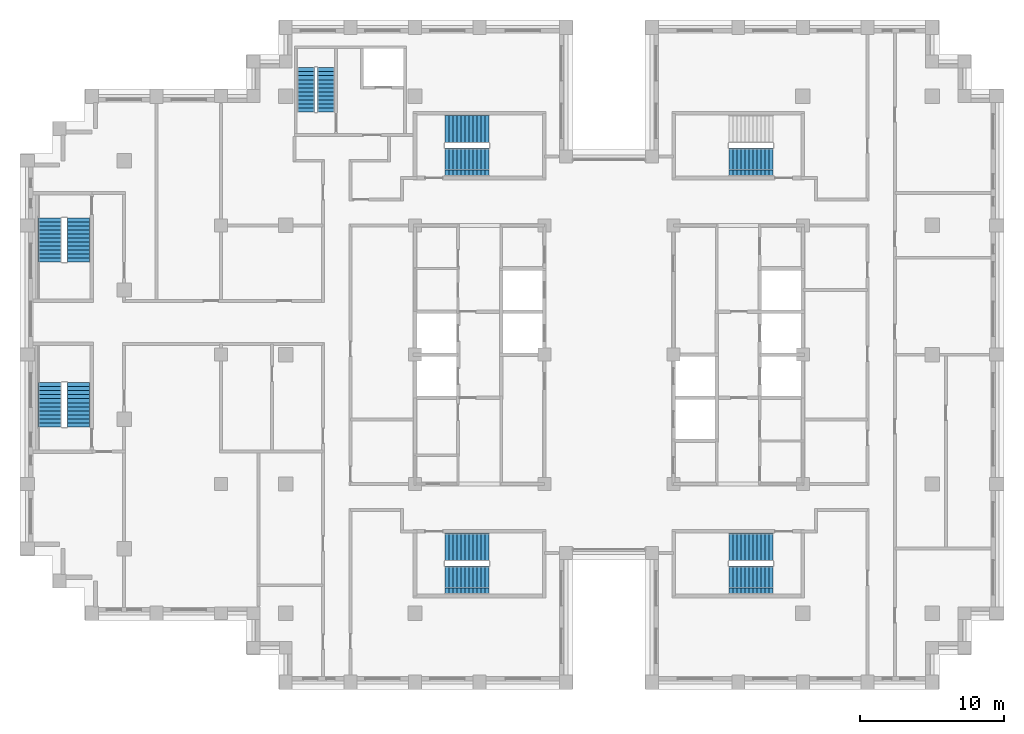
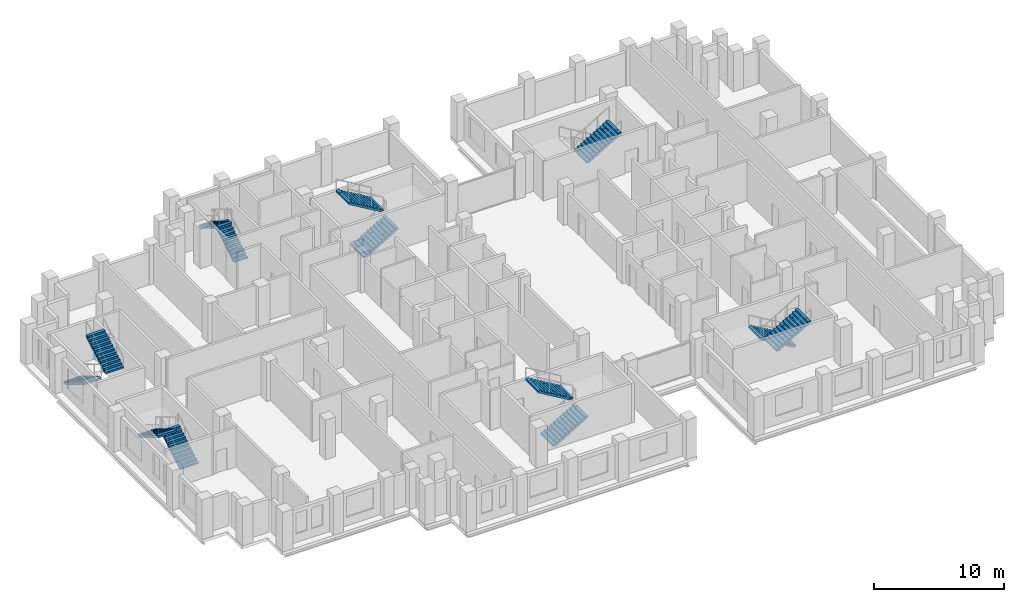
# One storey, part 12 of 15: 13 stair flights, 7 elements without a shape of their own.
"""IFC4 building model written with IfcOpenShell, lengths in metres."""

from ifc_helpers import new_model, si_unit, direction, frame, origin, place, context, subcontext, project, spatial, polyline, outline, extrude, material, type_object, element, aggregate, save


model = new_model("IFC4")

# Units and contexts
model_context = context("Model", 3, precision=1e-05, world=origin(), true_north=direction((0.0, 1.0)))
body_context = subcontext(model_context, "Body", "Model", "MODEL_VIEW")
ifc_project = project(units=[si_unit("LENGTHUNIT", "METRE"), si_unit("AREAUNIT", "SQUARE_METRE"), si_unit("VOLUMEUNIT", "CUBIC_METRE"), si_unit("PLANEANGLEUNIT", "RADIAN"), si_unit("MASSUNIT", "GRAM", prefix="KILO")], contexts=[model_context])

# Site, building, storey
site_placement = place(None, origin())
site = spatial("IfcSite", under=ifc_project, at=site_placement, CompositionType="ELEMENT")
building_placement = place(site_placement, origin())
building = spatial("IfcBuilding", under=site, at=building_placement, Name="Corbelhall Arena Tower", CompositionType="ELEMENT")
storey_placement = place(building_placement, frame((0.0, 0.0, 192.0)))
storey = spatial("IfcBuildingStorey", under=building, at=storey_placement, Name="L39", CompositionType="ELEMENT", Elevation=192.0)

# Stair, stair flights
ifc_material = material(Name="Concrete C40/50", Category="concrete")
stair_type = type_object("IfcStairType", Name="IN-ST-TOWER", PredefinedType="HALF_TURN_STAIR", material=ifc_material)
stair_1_placement = place(storey_placement, origin())
stair_1 = element("IfcStair", 1, at=stair_1_placement, inside=storey, type_object=stair_type, Name="L39 Exit stair ST1", PredefinedType="HALF_TURN_STAIR")
stair_flight_type = type_object("IfcStairFlightType", Name="IN-SFL-RC", PredefinedType="STRAIGHT", material=ifc_material)
stair_flight_1_placement = place(storey_placement, frame((-11.425048828125, 13.39990234375, 0.0), z_axis=(0.0, 0.0, 1.0), x_axis=(1.0, 0.0, 0.0)))
stair_flight_1 = element("IfcStairFlight", 2, at=stair_flight_1_placement, type_object=stair_flight_type, Name="ST1 flight 1", NumberOfRisers=12, NumberOfTreads=11, PredefinedType="STRAIGHT", RiserHeight=0.166666667, TreadLength=0.28, context=body_context, shape_type="SweptSolid", body=[
    extrude(outline(polyline([(0.0, 0.0), (0.0, 0.166748046875), (0.280029296875, 0.166748046875), (0.280029296875, 0.333251953125), (0.56005859375, 0.333251953125), (0.56005859375, 0.5), (0.840087890625, 0.5), (0.840087890625, 0.666748046875), (1.1201171875, 0.666748046875), (1.1201171875, 0.833251953125), (1.39990234375, 0.833251953125), (1.39990234375, 1.0), (1.679931640625, 1.0), (1.679931640625, 1.166748046875), (1.9599609375, 1.166748046875), (1.9599609375, 1.333251953125), (2.239990234375, 1.333251953125), (2.239990234375, 1.5), (2.52001953125, 1.5), (2.52001953125, 1.666748046875), (2.800048828125, 1.666748046875), (2.800048828125, 1.833251953125), (3.080078125, 1.833251953125), (3.080078125, 2.0), (3.080078125, 1.658935546875), (0.29296875, 0.0), (0.0, 0.0)])), frame((0.0, 0.97509765625, 0.0), z_axis=(0.0, -1.0, 0.0), x_axis=(1.0, 0.0, 0.0)), (0.0, 0.0, 1.0), 0.449951171875),
    extrude(outline(polyline([(0.0, 0.0), (0.0, 0.166748046875), (0.280029296875, 0.166748046875), (0.280029296875, 0.333251953125), (0.56005859375, 0.333251953125), (0.56005859375, 0.5), (0.840087890625, 0.5), (0.840087890625, 0.666748046875), (1.1201171875, 0.666748046875), (1.1201171875, 0.833251953125), (1.39990234375, 0.833251953125), (1.39990234375, 1.0), (1.679931640625, 1.0), (1.679931640625, 1.166748046875), (1.9599609375, 1.166748046875), (1.9599609375, 1.333251953125), (2.239990234375, 1.333251953125), (2.239990234375, 1.5), (2.52001953125, 1.5), (2.52001953125, 1.666748046875), (2.800048828125, 1.666748046875), (2.800048828125, 1.833251953125), (3.080078125, 1.833251953125), (3.080078125, 2.0), (3.080078125, 1.658935546875), (0.29296875, 0.0), (0.0, 0.0)])), frame((0.0, 0.52099609375, 0.0), z_axis=(0.0, -1.0, 0.0), x_axis=(1.0, 0.0, 0.0)), (0.0, 0.0, 1.0), 1.0419921875),
    extrude(outline(polyline([(0.0, 0.0), (0.0, 0.166748046875), (0.280029296875, 0.166748046875), (0.280029296875, 0.333251953125), (0.56005859375, 0.333251953125), (0.56005859375, 0.5), (0.840087890625, 0.5), (0.840087890625, 0.666748046875), (1.1201171875, 0.666748046875), (1.1201171875, 0.833251953125), (1.39990234375, 0.833251953125), (1.39990234375, 1.0), (1.679931640625, 1.0), (1.679931640625, 1.166748046875), (1.9599609375, 1.166748046875), (1.9599609375, 1.333251953125), (2.239990234375, 1.333251953125), (2.239990234375, 1.5), (2.52001953125, 1.5), (2.52001953125, 1.666748046875), (2.800048828125, 1.666748046875), (2.800048828125, 1.833251953125), (3.080078125, 1.833251953125), (3.080078125, 2.0), (3.080078125, 1.658935546875), (0.29296875, 0.0), (0.0, 0.0)])), frame((0.0, -0.52490234375, 0.0), z_axis=(0.0, -1.0, 0.0), x_axis=(1.0, 0.0, 0.0)), (0.0, 0.0, 1.0), 0.449951171875),
])
stair_flight_2_placement = place(storey_placement, frame((-8.344970703125, 15.699951171875, 2.0), z_axis=(0.0, 0.0, 1.0), x_axis=(-1.0, 0.0, 0.0)))
stair_flight_2 = element("IfcStairFlight", 3, at=stair_flight_2_placement, type_object=stair_flight_type, Name="ST1 flight 2", NumberOfRisers=12, NumberOfTreads=11, PredefinedType="STRAIGHT", RiserHeight=0.166666667, TreadLength=0.28, context=body_context, shape_type="SweptSolid", body=[
    extrude(outline(polyline([(0.0, 0.0), (0.0, 0.166748046875), (0.280029296875, 0.166748046875), (0.280029296875, 0.333251953125), (0.56005859375, 0.333251953125), (0.56005859375, 0.5), (0.840087890625, 0.5), (0.840087890625, 0.666748046875), (1.1201171875, 0.666748046875), (1.1201171875, 0.833251953125), (1.39990234375, 0.833251953125), (1.39990234375, 1.0), (1.679931640625, 1.0), (1.679931640625, 1.166748046875), (1.9599609375, 1.166748046875), (1.9599609375, 1.333251953125), (2.239990234375, 1.333251953125), (2.239990234375, 1.5), (2.52001953125, 1.5), (2.52001953125, 1.666748046875), (2.800048828125, 1.666748046875), (2.800048828125, 1.833251953125), (3.080078125, 1.833251953125), (3.080078125, 2.0), (3.080078125, 1.658935546875), (0.29296875, 0.0), (0.0, 0.0)])), frame((0.0, 0.97509765625, 0.0), z_axis=(0.0, -1.0, 0.0), x_axis=(1.0, 0.0, 0.0)), (0.0, 0.0, 1.0), 0.449951171875),
    extrude(outline(polyline([(0.0, 0.0), (0.0, 0.166748046875), (0.280029296875, 0.166748046875), (0.280029296875, 0.333251953125), (0.56005859375, 0.333251953125), (0.56005859375, 0.5), (0.840087890625, 0.5), (0.840087890625, 0.666748046875), (1.1201171875, 0.666748046875), (1.1201171875, 0.833251953125), (1.39990234375, 0.833251953125), (1.39990234375, 1.0), (1.679931640625, 1.0), (1.679931640625, 1.166748046875), (1.9599609375, 1.166748046875), (1.9599609375, 1.333251953125), (2.239990234375, 1.333251953125), (2.239990234375, 1.5), (2.52001953125, 1.5), (2.52001953125, 1.666748046875), (2.800048828125, 1.666748046875), (2.800048828125, 1.833251953125), (3.080078125, 1.833251953125), (3.080078125, 2.0), (3.080078125, 1.658935546875), (0.29296875, 0.0), (0.0, 0.0)])), frame((0.0, 0.52099609375, 0.0), z_axis=(0.0, -1.0, 0.0), x_axis=(1.0, 0.0, 0.0)), (0.0, 0.0, 1.0), 1.0419921875),
    extrude(outline(polyline([(0.0, 0.0), (0.0, 0.166748046875), (0.280029296875, 0.166748046875), (0.280029296875, 0.333251953125), (0.56005859375, 0.333251953125), (0.56005859375, 0.5), (0.840087890625, 0.5), (0.840087890625, 0.666748046875), (1.1201171875, 0.666748046875), (1.1201171875, 0.833251953125), (1.39990234375, 0.833251953125), (1.39990234375, 1.0), (1.679931640625, 1.0), (1.679931640625, 1.166748046875), (1.9599609375, 1.166748046875), (1.9599609375, 1.333251953125), (2.239990234375, 1.333251953125), (2.239990234375, 1.5), (2.52001953125, 1.5), (2.52001953125, 1.666748046875), (2.800048828125, 1.666748046875), (2.800048828125, 1.833251953125), (3.080078125, 1.833251953125), (3.080078125, 2.0), (3.080078125, 1.658935546875), (0.29296875, 0.0), (0.0, 0.0)])), frame((0.0, -0.52490234375, 0.0), z_axis=(0.0, -1.0, 0.0), x_axis=(1.0, 0.0, 0.0)), (0.0, 0.0, 1.0), 0.449951171875),
])
aggregate(stair_1, [stair_flight_1, stair_flight_2])

stair_2_placement = place(storey_placement, origin())
stair_2 = element("IfcStair", 4, at=stair_2_placement, inside=storey, type_object=stair_type, Name="L39 Exit stair ST2", PredefinedType="HALF_TURN_STAIR")
stair_flight_3_placement = place(storey_placement, frame((-11.425048828125, -15.699951171875, 0.0), z_axis=(0.0, 0.0, 1.0), x_axis=(1.0, 0.0, 0.0)))
stair_flight_3 = element("IfcStairFlight", 5, at=stair_flight_3_placement, type_object=stair_flight_type, Name="ST2 flight 1", NumberOfRisers=12, NumberOfTreads=11, PredefinedType="STRAIGHT", RiserHeight=0.166666667, TreadLength=0.28, context=body_context, shape_type="SweptSolid", body=[
    extrude(outline(polyline([(0.0, 0.0), (0.0, 0.166748046875), (0.280029296875, 0.166748046875), (0.280029296875, 0.333251953125), (0.56005859375, 0.333251953125), (0.56005859375, 0.5), (0.840087890625, 0.5), (0.840087890625, 0.666748046875), (1.1201171875, 0.666748046875), (1.1201171875, 0.833251953125), (1.39990234375, 0.833251953125), (1.39990234375, 1.0), (1.679931640625, 1.0), (1.679931640625, 1.166748046875), (1.9599609375, 1.166748046875), (1.9599609375, 1.333251953125), (2.239990234375, 1.333251953125), (2.239990234375, 1.5), (2.52001953125, 1.5), (2.52001953125, 1.666748046875), (2.800048828125, 1.666748046875), (2.800048828125, 1.833251953125), (3.080078125, 1.833251953125), (3.080078125, 2.0), (3.080078125, 1.658935546875), (0.29296875, 0.0), (0.0, 0.0)])), frame((0.0, 0.97509765625, 0.0), z_axis=(0.0, -1.0, 0.0), x_axis=(1.0, 0.0, 0.0)), (0.0, 0.0, 1.0), 0.449951171875),
    extrude(outline(polyline([(0.0, 0.0), (0.0, 0.166748046875), (0.280029296875, 0.166748046875), (0.280029296875, 0.333251953125), (0.56005859375, 0.333251953125), (0.56005859375, 0.5), (0.840087890625, 0.5), (0.840087890625, 0.666748046875), (1.1201171875, 0.666748046875), (1.1201171875, 0.833251953125), (1.39990234375, 0.833251953125), (1.39990234375, 1.0), (1.679931640625, 1.0), (1.679931640625, 1.166748046875), (1.9599609375, 1.166748046875), (1.9599609375, 1.333251953125), (2.239990234375, 1.333251953125), (2.239990234375, 1.5), (2.52001953125, 1.5), (2.52001953125, 1.666748046875), (2.800048828125, 1.666748046875), (2.800048828125, 1.833251953125), (3.080078125, 1.833251953125), (3.080078125, 2.0), (3.080078125, 1.658935546875), (0.29296875, 0.0), (0.0, 0.0)])), frame((0.0, 0.52099609375, 0.0), z_axis=(0.0, -1.0, 0.0), x_axis=(1.0, 0.0, 0.0)), (0.0, 0.0, 1.0), 1.0419921875),
    extrude(outline(polyline([(0.0, 0.0), (0.0, 0.166748046875), (0.280029296875, 0.166748046875), (0.280029296875, 0.333251953125), (0.56005859375, 0.333251953125), (0.56005859375, 0.5), (0.840087890625, 0.5), (0.840087890625, 0.666748046875), (1.1201171875, 0.666748046875), (1.1201171875, 0.833251953125), (1.39990234375, 0.833251953125), (1.39990234375, 1.0), (1.679931640625, 1.0), (1.679931640625, 1.166748046875), (1.9599609375, 1.166748046875), (1.9599609375, 1.333251953125), (2.239990234375, 1.333251953125), (2.239990234375, 1.5), (2.52001953125, 1.5), (2.52001953125, 1.666748046875), (2.800048828125, 1.666748046875), (2.800048828125, 1.833251953125), (3.080078125, 1.833251953125), (3.080078125, 2.0), (3.080078125, 1.658935546875), (0.29296875, 0.0), (0.0, 0.0)])), frame((0.0, -0.52490234375, 0.0), z_axis=(0.0, -1.0, 0.0), x_axis=(1.0, 0.0, 0.0)), (0.0, 0.0, 1.0), 0.449951171875),
])
stair_flight_4_placement = place(storey_placement, frame((-8.344970703125, -13.39990234375, 2.0), z_axis=(0.0, 0.0, 1.0), x_axis=(-1.0, 0.0, 0.0)))
stair_flight_4 = element("IfcStairFlight", 6, at=stair_flight_4_placement, type_object=stair_flight_type, Name="ST2 flight 2", NumberOfRisers=12, NumberOfTreads=11, PredefinedType="STRAIGHT", RiserHeight=0.166666667, TreadLength=0.28, context=body_context, shape_type="SweptSolid", body=[
    extrude(outline(polyline([(0.0, 0.0), (0.0, 0.166748046875), (0.280029296875, 0.166748046875), (0.280029296875, 0.333251953125), (0.56005859375, 0.333251953125), (0.56005859375, 0.5), (0.840087890625, 0.5), (0.840087890625, 0.666748046875), (1.1201171875, 0.666748046875), (1.1201171875, 0.833251953125), (1.39990234375, 0.833251953125), (1.39990234375, 1.0), (1.679931640625, 1.0), (1.679931640625, 1.166748046875), (1.9599609375, 1.166748046875), (1.9599609375, 1.333251953125), (2.239990234375, 1.333251953125), (2.239990234375, 1.5), (2.52001953125, 1.5), (2.52001953125, 1.666748046875), (2.800048828125, 1.666748046875), (2.800048828125, 1.833251953125), (3.080078125, 1.833251953125), (3.080078125, 2.0), (3.080078125, 1.658935546875), (0.29296875, 0.0), (0.0, 0.0)])), frame((0.0, 0.97509765625, 0.0), z_axis=(0.0, -1.0, 0.0), x_axis=(1.0, 0.0, 0.0)), (0.0, 0.0, 1.0), 0.449951171875),
    extrude(outline(polyline([(0.0, 0.0), (0.0, 0.166748046875), (0.280029296875, 0.166748046875), (0.280029296875, 0.333251953125), (0.56005859375, 0.333251953125), (0.56005859375, 0.5), (0.840087890625, 0.5), (0.840087890625, 0.666748046875), (1.1201171875, 0.666748046875), (1.1201171875, 0.833251953125), (1.39990234375, 0.833251953125), (1.39990234375, 1.0), (1.679931640625, 1.0), (1.679931640625, 1.166748046875), (1.9599609375, 1.166748046875), (1.9599609375, 1.333251953125), (2.239990234375, 1.333251953125), (2.239990234375, 1.5), (2.52001953125, 1.5), (2.52001953125, 1.666748046875), (2.800048828125, 1.666748046875), (2.800048828125, 1.833251953125), (3.080078125, 1.833251953125), (3.080078125, 2.0), (3.080078125, 1.658935546875), (0.29296875, 0.0), (0.0, 0.0)])), frame((0.0, 0.52099609375, 0.0), z_axis=(0.0, -1.0, 0.0), x_axis=(1.0, 0.0, 0.0)), (0.0, 0.0, 1.0), 1.0419921875),
    extrude(outline(polyline([(0.0, 0.0), (0.0, 0.166748046875), (0.280029296875, 0.166748046875), (0.280029296875, 0.333251953125), (0.56005859375, 0.333251953125), (0.56005859375, 0.5), (0.840087890625, 0.5), (0.840087890625, 0.666748046875), (1.1201171875, 0.666748046875), (1.1201171875, 0.833251953125), (1.39990234375, 0.833251953125), (1.39990234375, 1.0), (1.679931640625, 1.0), (1.679931640625, 1.166748046875), (1.9599609375, 1.166748046875), (1.9599609375, 1.333251953125), (2.239990234375, 1.333251953125), (2.239990234375, 1.5), (2.52001953125, 1.5), (2.52001953125, 1.666748046875), (2.800048828125, 1.666748046875), (2.800048828125, 1.833251953125), (3.080078125, 1.833251953125), (3.080078125, 2.0), (3.080078125, 1.658935546875), (0.29296875, 0.0), (0.0, 0.0)])), frame((0.0, -0.52490234375, 0.0), z_axis=(0.0, -1.0, 0.0), x_axis=(1.0, 0.0, 0.0)), (0.0, 0.0, 1.0), 0.449951171875),
])
aggregate(stair_2, [stair_flight_3, stair_flight_4])

# Stair, stair flight
stair_3_placement = place(storey_placement, origin())
stair_3 = element("IfcStair", 7, at=stair_3_placement, inside=storey, type_object=stair_type, Name="L39 Exit stair ST3", PredefinedType="HALF_TURN_STAIR")
stair_flight_5_placement = place(storey_placement, frame((8.344970703125, 13.39990234375, 2.0), z_axis=(0.0, 0.0, 1.0), x_axis=(1.0, 0.0, 0.0)))
stair_flight_5 = element("IfcStairFlight", 8, at=stair_flight_5_placement, type_object=stair_flight_type, Name="ST3 flight 2", NumberOfRisers=12, NumberOfTreads=11, PredefinedType="STRAIGHT", RiserHeight=0.166666667, TreadLength=0.28, context=body_context, shape_type="SweptSolid", body=[
    extrude(outline(polyline([(0.0, 0.0), (0.0, 0.166748046875), (0.280029296875, 0.166748046875), (0.280029296875, 0.333251953125), (0.56005859375, 0.333251953125), (0.56005859375, 0.5), (0.840087890625, 0.5), (0.840087890625, 0.666748046875), (1.1201171875, 0.666748046875), (1.1201171875, 0.833251953125), (1.39990234375, 0.833251953125), (1.39990234375, 1.0), (1.679931640625, 1.0), (1.679931640625, 1.166748046875), (1.9599609375, 1.166748046875), (1.9599609375, 1.333251953125), (2.239990234375, 1.333251953125), (2.239990234375, 1.5), (2.52001953125, 1.5), (2.52001953125, 1.666748046875), (2.800048828125, 1.666748046875), (2.800048828125, 1.833251953125), (3.080078125, 1.833251953125), (3.080078125, 2.0), (3.080078125, 1.658935546875), (0.29296875, 0.0), (0.0, 0.0)])), frame((0.0, 0.97509765625, 0.0), z_axis=(0.0, -1.0, 0.0), x_axis=(1.0, 0.0, 0.0)), (0.0, 0.0, 1.0), 0.449951171875),
    extrude(outline(polyline([(0.0, 0.0), (0.0, 0.166748046875), (0.280029296875, 0.166748046875), (0.280029296875, 0.333251953125), (0.56005859375, 0.333251953125), (0.56005859375, 0.5), (0.840087890625, 0.5), (0.840087890625, 0.666748046875), (1.1201171875, 0.666748046875), (1.1201171875, 0.833251953125), (1.39990234375, 0.833251953125), (1.39990234375, 1.0), (1.679931640625, 1.0), (1.679931640625, 1.166748046875), (1.9599609375, 1.166748046875), (1.9599609375, 1.333251953125), (2.239990234375, 1.333251953125), (2.239990234375, 1.5), (2.52001953125, 1.5), (2.52001953125, 1.666748046875), (2.800048828125, 1.666748046875), (2.800048828125, 1.833251953125), (3.080078125, 1.833251953125), (3.080078125, 2.0), (3.080078125, 1.658935546875), (0.29296875, 0.0), (0.0, 0.0)])), frame((0.0, 0.52099609375, 0.0), z_axis=(0.0, -1.0, 0.0), x_axis=(1.0, 0.0, 0.0)), (0.0, 0.0, 1.0), 1.0419921875),
    extrude(outline(polyline([(0.0, 0.0), (0.0, 0.166748046875), (0.280029296875, 0.166748046875), (0.280029296875, 0.333251953125), (0.56005859375, 0.333251953125), (0.56005859375, 0.5), (0.840087890625, 0.5), (0.840087890625, 0.666748046875), (1.1201171875, 0.666748046875), (1.1201171875, 0.833251953125), (1.39990234375, 0.833251953125), (1.39990234375, 1.0), (1.679931640625, 1.0), (1.679931640625, 1.166748046875), (1.9599609375, 1.166748046875), (1.9599609375, 1.333251953125), (2.239990234375, 1.333251953125), (2.239990234375, 1.5), (2.52001953125, 1.5), (2.52001953125, 1.666748046875), (2.800048828125, 1.666748046875), (2.800048828125, 1.833251953125), (3.080078125, 1.833251953125), (3.080078125, 2.0), (3.080078125, 1.658935546875), (0.29296875, 0.0), (0.0, 0.0)])), frame((0.0, -0.52490234375, 0.0), z_axis=(0.0, -1.0, 0.0), x_axis=(1.0, 0.0, 0.0)), (0.0, 0.0, 1.0), 0.449951171875),
])
aggregate(stair_3, [stair_flight_5])

# Stair, stair flights
stair_4_placement = place(storey_placement, origin())
stair_4 = element("IfcStair", 9, at=stair_4_placement, inside=storey, type_object=stair_type, Name="L39 Exit stair ST4", PredefinedType="HALF_TURN_STAIR")
stair_flight_6_placement = place(storey_placement, frame((11.425048828125, -13.39990234375, 0.0), z_axis=(0.0, 0.0, 1.0), x_axis=(-1.0, 0.0, 0.0)))
stair_flight_6 = element("IfcStairFlight", 10, at=stair_flight_6_placement, type_object=stair_flight_type, Name="ST4 flight 1", NumberOfRisers=12, NumberOfTreads=11, PredefinedType="STRAIGHT", RiserHeight=0.166666667, TreadLength=0.28, context=body_context, shape_type="SweptSolid", body=[
    extrude(outline(polyline([(0.0, 0.0), (0.0, 0.166748046875), (0.280029296875, 0.166748046875), (0.280029296875, 0.333251953125), (0.56005859375, 0.333251953125), (0.56005859375, 0.5), (0.840087890625, 0.5), (0.840087890625, 0.666748046875), (1.1201171875, 0.666748046875), (1.1201171875, 0.833251953125), (1.39990234375, 0.833251953125), (1.39990234375, 1.0), (1.679931640625, 1.0), (1.679931640625, 1.166748046875), (1.9599609375, 1.166748046875), (1.9599609375, 1.333251953125), (2.239990234375, 1.333251953125), (2.239990234375, 1.5), (2.52001953125, 1.5), (2.52001953125, 1.666748046875), (2.800048828125, 1.666748046875), (2.800048828125, 1.833251953125), (3.080078125, 1.833251953125), (3.080078125, 2.0), (3.080078125, 1.658935546875), (0.29296875, 0.0), (0.0, 0.0)])), frame((0.0, 0.97509765625, 0.0), z_axis=(0.0, -1.0, 0.0), x_axis=(1.0, 0.0, 0.0)), (0.0, 0.0, 1.0), 0.449951171875),
    extrude(outline(polyline([(0.0, 0.0), (0.0, 0.166748046875), (0.280029296875, 0.166748046875), (0.280029296875, 0.333251953125), (0.56005859375, 0.333251953125), (0.56005859375, 0.5), (0.840087890625, 0.5), (0.840087890625, 0.666748046875), (1.1201171875, 0.666748046875), (1.1201171875, 0.833251953125), (1.39990234375, 0.833251953125), (1.39990234375, 1.0), (1.679931640625, 1.0), (1.679931640625, 1.166748046875), (1.9599609375, 1.166748046875), (1.9599609375, 1.333251953125), (2.239990234375, 1.333251953125), (2.239990234375, 1.5), (2.52001953125, 1.5), (2.52001953125, 1.666748046875), (2.800048828125, 1.666748046875), (2.800048828125, 1.833251953125), (3.080078125, 1.833251953125), (3.080078125, 2.0), (3.080078125, 1.658935546875), (0.29296875, 0.0), (0.0, 0.0)])), frame((0.0, 0.52099609375, 0.0), z_axis=(0.0, -1.0, 0.0), x_axis=(1.0, 0.0, 0.0)), (0.0, 0.0, 1.0), 1.0419921875),
    extrude(outline(polyline([(0.0, 0.0), (0.0, 0.166748046875), (0.280029296875, 0.166748046875), (0.280029296875, 0.333251953125), (0.56005859375, 0.333251953125), (0.56005859375, 0.5), (0.840087890625, 0.5), (0.840087890625, 0.666748046875), (1.1201171875, 0.666748046875), (1.1201171875, 0.833251953125), (1.39990234375, 0.833251953125), (1.39990234375, 1.0), (1.679931640625, 1.0), (1.679931640625, 1.166748046875), (1.9599609375, 1.166748046875), (1.9599609375, 1.333251953125), (2.239990234375, 1.333251953125), (2.239990234375, 1.5), (2.52001953125, 1.5), (2.52001953125, 1.666748046875), (2.800048828125, 1.666748046875), (2.800048828125, 1.833251953125), (3.080078125, 1.833251953125), (3.080078125, 2.0), (3.080078125, 1.658935546875), (0.29296875, 0.0), (0.0, 0.0)])), frame((0.0, -0.52490234375, 0.0), z_axis=(0.0, -1.0, 0.0), x_axis=(1.0, 0.0, 0.0)), (0.0, 0.0, 1.0), 0.449951171875),
])
stair_flight_7_placement = place(storey_placement, frame((8.344970703125, -15.699951171875, 2.0), z_axis=(0.0, 0.0, 1.0), x_axis=(1.0, 0.0, 0.0)))
stair_flight_7 = element("IfcStairFlight", 11, at=stair_flight_7_placement, type_object=stair_flight_type, Name="ST4 flight 2", NumberOfRisers=12, NumberOfTreads=11, PredefinedType="STRAIGHT", RiserHeight=0.166666667, TreadLength=0.28, context=body_context, shape_type="SweptSolid", body=[
    extrude(outline(polyline([(0.0, 0.0), (0.0, 0.166748046875), (0.280029296875, 0.166748046875), (0.280029296875, 0.333251953125), (0.56005859375, 0.333251953125), (0.56005859375, 0.5), (0.840087890625, 0.5), (0.840087890625, 0.666748046875), (1.1201171875, 0.666748046875), (1.1201171875, 0.833251953125), (1.39990234375, 0.833251953125), (1.39990234375, 1.0), (1.679931640625, 1.0), (1.679931640625, 1.166748046875), (1.9599609375, 1.166748046875), (1.9599609375, 1.333251953125), (2.239990234375, 1.333251953125), (2.239990234375, 1.5), (2.52001953125, 1.5), (2.52001953125, 1.666748046875), (2.800048828125, 1.666748046875), (2.800048828125, 1.833251953125), (3.080078125, 1.833251953125), (3.080078125, 2.0), (3.080078125, 1.658935546875), (0.29296875, 0.0), (0.0, 0.0)])), frame((0.0, 0.97509765625, 0.0), z_axis=(0.0, -1.0, 0.0), x_axis=(1.0, 0.0, 0.0)), (0.0, 0.0, 1.0), 0.449951171875),
    extrude(outline(polyline([(0.0, 0.0), (0.0, 0.166748046875), (0.280029296875, 0.166748046875), (0.280029296875, 0.333251953125), (0.56005859375, 0.333251953125), (0.56005859375, 0.5), (0.840087890625, 0.5), (0.840087890625, 0.666748046875), (1.1201171875, 0.666748046875), (1.1201171875, 0.833251953125), (1.39990234375, 0.833251953125), (1.39990234375, 1.0), (1.679931640625, 1.0), (1.679931640625, 1.166748046875), (1.9599609375, 1.166748046875), (1.9599609375, 1.333251953125), (2.239990234375, 1.333251953125), (2.239990234375, 1.5), (2.52001953125, 1.5), (2.52001953125, 1.666748046875), (2.800048828125, 1.666748046875), (2.800048828125, 1.833251953125), (3.080078125, 1.833251953125), (3.080078125, 2.0), (3.080078125, 1.658935546875), (0.29296875, 0.0), (0.0, 0.0)])), frame((0.0, 0.52099609375, 0.0), z_axis=(0.0, -1.0, 0.0), x_axis=(1.0, 0.0, 0.0)), (0.0, 0.0, 1.0), 1.0419921875),
    extrude(outline(polyline([(0.0, 0.0), (0.0, 0.166748046875), (0.280029296875, 0.166748046875), (0.280029296875, 0.333251953125), (0.56005859375, 0.333251953125), (0.56005859375, 0.5), (0.840087890625, 0.5), (0.840087890625, 0.666748046875), (1.1201171875, 0.666748046875), (1.1201171875, 0.833251953125), (1.39990234375, 0.833251953125), (1.39990234375, 1.0), (1.679931640625, 1.0), (1.679931640625, 1.166748046875), (1.9599609375, 1.166748046875), (1.9599609375, 1.333251953125), (2.239990234375, 1.333251953125), (2.239990234375, 1.5), (2.52001953125, 1.5), (2.52001953125, 1.666748046875), (2.800048828125, 1.666748046875), (2.800048828125, 1.833251953125), (3.080078125, 1.833251953125), (3.080078125, 2.0), (3.080078125, 1.658935546875), (0.29296875, 0.0), (0.0, 0.0)])), frame((0.0, -0.52490234375, 0.0), z_axis=(0.0, -1.0, 0.0), x_axis=(1.0, 0.0, 0.0)), (0.0, 0.0, 1.0), 0.449951171875),
])
aggregate(stair_4, [stair_flight_6, stair_flight_7])

stair_5_placement = place(storey_placement, origin())
stair_5 = element("IfcStair", 12, at=stair_5_placement, inside=storey, type_object=stair_type, Name="L39 Exit stair SC1", PredefinedType="HALF_TURN_STAIR")
stair_flight_8_placement = place(storey_placement, frame((-38.89990234375, 9.52490234375, 0.0), z_axis=(0.0, 0.0, 1.0), x_axis=(0.0, -1.0, 0.0)))
stair_flight_8 = element("IfcStairFlight", 13, at=stair_flight_8_placement, type_object=stair_flight_type, Name="SC1 flight 1", NumberOfRisers=12, NumberOfTreads=11, PredefinedType="STRAIGHT", RiserHeight=0.166666667, TreadLength=0.28, context=body_context, shape_type="SweptSolid", body=[
    extrude(outline(polyline([(0.0, 0.0), (0.0, 0.166748046875), (0.280029296875, 0.166748046875), (0.280029296875, 0.333251953125), (0.56005859375, 0.333251953125), (0.56005859375, 0.5), (0.840087890625, 0.5), (0.840087890625, 0.666748046875), (1.1201171875, 0.666748046875), (1.1201171875, 0.833251953125), (1.39990234375, 0.833251953125), (1.39990234375, 1.0), (1.679931640625, 1.0), (1.679931640625, 1.166748046875), (1.9599609375, 1.166748046875), (1.9599609375, 1.333251953125), (2.239990234375, 1.333251953125), (2.239990234375, 1.5), (2.52001953125, 1.5), (2.52001953125, 1.666748046875), (2.800048828125, 1.666748046875), (2.800048828125, 1.833251953125), (3.080078125, 1.833251953125), (3.080078125, 2.0), (3.080078125, 1.658935546875), (0.29296875, 0.0), (0.0, 0.0)])), frame((0.0, 0.800048828125, 0.0), z_axis=(0.0, -1.0, 0.0), x_axis=(1.0, 0.0, 0.0)), (0.0, 0.0, 1.0), 1.60009765625),
])
stair_flight_9_placement = place(storey_placement, frame((-36.925048828125, 6.445068359375, 2.0), z_axis=(0.0, 0.0, 1.0), x_axis=(0.0, 1.0, 0.0)))
stair_flight_9 = element("IfcStairFlight", 14, at=stair_flight_9_placement, type_object=stair_flight_type, Name="SC1 flight 2", NumberOfRisers=12, NumberOfTreads=11, PredefinedType="STRAIGHT", RiserHeight=0.166666667, TreadLength=0.28, context=body_context, shape_type="SweptSolid", body=[
    extrude(outline(polyline([(0.0, 0.0), (0.0, 0.166748046875), (0.280029296875, 0.166748046875), (0.280029296875, 0.333251953125), (0.56005859375, 0.333251953125), (0.56005859375, 0.5), (0.840087890625, 0.5), (0.840087890625, 0.666748046875), (1.1201171875, 0.666748046875), (1.1201171875, 0.833251953125), (1.39990234375, 0.833251953125), (1.39990234375, 1.0), (1.679931640625, 1.0), (1.679931640625, 1.166748046875), (1.9599609375, 1.166748046875), (1.9599609375, 1.333251953125), (2.239990234375, 1.333251953125), (2.239990234375, 1.5), (2.52001953125, 1.5), (2.52001953125, 1.666748046875), (2.800048828125, 1.666748046875), (2.800048828125, 1.833251953125), (3.080078125, 1.833251953125), (3.080078125, 2.0), (3.080078125, 1.658935546875), (0.29296875, 0.0), (0.0, 0.0)])), frame((0.0, 0.800048828125, 0.0), z_axis=(0.0, -1.0, 0.0), x_axis=(1.0, 0.0, 0.0)), (0.0, 0.0, 1.0), 1.60009765625),
])
aggregate(stair_5, [stair_flight_8, stair_flight_9])

stair_6_placement = place(storey_placement, origin())
stair_6 = element("IfcStair", 15, at=stair_6_placement, inside=storey, type_object=stair_type, Name="L39 Exit stair SC2", PredefinedType="HALF_TURN_STAIR")
stair_flight_10_placement = place(storey_placement, frame((-36.925048828125, -5.02490234375, 0.0), z_axis=(0.0, 0.0, 1.0), x_axis=(0.0, 1.0, 0.0)))
stair_flight_10 = element("IfcStairFlight", 16, at=stair_flight_10_placement, type_object=stair_flight_type, Name="SC2 flight 1", NumberOfRisers=12, NumberOfTreads=11, PredefinedType="STRAIGHT", RiserHeight=0.166666667, TreadLength=0.28, context=body_context, shape_type="SweptSolid", body=[
    extrude(outline(polyline([(0.0, 0.0), (0.0, 0.166748046875), (0.280029296875, 0.166748046875), (0.280029296875, 0.333251953125), (0.56005859375, 0.333251953125), (0.56005859375, 0.5), (0.840087890625, 0.5), (0.840087890625, 0.666748046875), (1.1201171875, 0.666748046875), (1.1201171875, 0.833251953125), (1.39990234375, 0.833251953125), (1.39990234375, 1.0), (1.679931640625, 1.0), (1.679931640625, 1.166748046875), (1.9599609375, 1.166748046875), (1.9599609375, 1.333251953125), (2.239990234375, 1.333251953125), (2.239990234375, 1.5), (2.52001953125, 1.5), (2.52001953125, 1.666748046875), (2.800048828125, 1.666748046875), (2.800048828125, 1.833251953125), (3.080078125, 1.833251953125), (3.080078125, 2.0), (3.080078125, 1.658935546875), (0.29296875, 0.0), (0.0, 0.0)])), frame((0.0, 0.800048828125, 0.0), z_axis=(0.0, -1.0, 0.0), x_axis=(1.0, 0.0, 0.0)), (0.0, 0.0, 1.0), 1.60009765625),
])
stair_flight_11_placement = place(storey_placement, frame((-38.89990234375, -1.945068359375, 2.0), z_axis=(0.0, 0.0, 1.0), x_axis=(0.0, -1.0, 0.0)))
stair_flight_11 = element("IfcStairFlight", 17, at=stair_flight_11_placement, type_object=stair_flight_type, Name="SC2 flight 2", NumberOfRisers=12, NumberOfTreads=11, PredefinedType="STRAIGHT", RiserHeight=0.166666667, TreadLength=0.28, context=body_context, shape_type="SweptSolid", body=[
    extrude(outline(polyline([(0.0, 0.0), (0.0, 0.166748046875), (0.280029296875, 0.166748046875), (0.280029296875, 0.333251953125), (0.56005859375, 0.333251953125), (0.56005859375, 0.5), (0.840087890625, 0.5), (0.840087890625, 0.666748046875), (1.1201171875, 0.666748046875), (1.1201171875, 0.833251953125), (1.39990234375, 0.833251953125), (1.39990234375, 1.0), (1.679931640625, 1.0), (1.679931640625, 1.166748046875), (1.9599609375, 1.166748046875), (1.9599609375, 1.333251953125), (2.239990234375, 1.333251953125), (2.239990234375, 1.5), (2.52001953125, 1.5), (2.52001953125, 1.666748046875), (2.800048828125, 1.666748046875), (2.800048828125, 1.833251953125), (3.080078125, 1.833251953125), (3.080078125, 2.0), (3.080078125, 1.658935546875), (0.29296875, 0.0), (0.0, 0.0)])), frame((0.0, 0.800048828125, 0.0), z_axis=(0.0, -1.0, 0.0), x_axis=(1.0, 0.0, 0.0)), (0.0, 0.0, 1.0), 1.60009765625),
])
aggregate(stair_6, [stair_flight_10, stair_flight_11])

stair_7_placement = place(storey_placement, origin())
stair_7 = element("IfcStair", 18, at=stair_7_placement, inside=storey, type_object=stair_type, Name="L39 Exit stair ST5", PredefinedType="HALF_TURN_STAIR")
stair_flight_12_placement = place(storey_placement, frame((-19.695068359375, 16.89990234375, 0.0), z_axis=(0.0, 0.0, 1.0), x_axis=(0.0, 1.0, 0.0)))
stair_flight_12 = element("IfcStairFlight", 19, at=stair_flight_12_placement, type_object=stair_flight_type, Name="ST5 flight 1", NumberOfRisers=12, NumberOfTreads=11, PredefinedType="STRAIGHT", RiserHeight=0.166666667, TreadLength=0.28, context=body_context, shape_type="SweptSolid", body=[
    extrude(outline(polyline([(0.0, 0.0), (0.0, 0.166748046875), (0.280029296875, 0.166748046875), (0.280029296875, 0.333251953125), (0.56005859375, 0.333251953125), (0.56005859375, 0.5), (0.840087890625, 0.5), (0.840087890625, 0.666748046875), (1.1201171875, 0.666748046875), (1.1201171875, 0.833251953125), (1.39990234375, 0.833251953125), (1.39990234375, 1.0), (1.679931640625, 1.0), (1.679931640625, 1.166748046875), (1.9599609375, 1.166748046875), (1.9599609375, 1.333251953125), (2.239990234375, 1.333251953125), (2.239990234375, 1.5), (2.52001953125, 1.5), (2.52001953125, 1.666748046875), (2.800048828125, 1.666748046875), (2.800048828125, 1.833251953125), (3.080078125, 1.833251953125), (3.080078125, 2.0), (3.080078125, 1.658935546875), (0.29296875, 0.0), (0.0, 0.0)])), frame((0.0, 0.60009765625, 0.0), z_axis=(0.0, -1.0, 0.0), x_axis=(1.0, 0.0, 0.0)), (0.0, 0.0, 1.0), 1.199951171875),
])
stair_flight_13_placement = place(storey_placement, frame((-21.094970703125, 19.97998046875, 2.0), z_axis=(0.0, 0.0, 1.0), x_axis=(0.0, -1.0, 0.0)))
stair_flight_13 = element("IfcStairFlight", 20, at=stair_flight_13_placement, type_object=stair_flight_type, Name="ST5 flight 2", NumberOfRisers=12, NumberOfTreads=11, PredefinedType="STRAIGHT", RiserHeight=0.166666667, TreadLength=0.28, context=body_context, shape_type="SweptSolid", body=[
    extrude(outline(polyline([(0.0, 0.0), (0.0, 0.166748046875), (0.280029296875, 0.166748046875), (0.280029296875, 0.333251953125), (0.56005859375, 0.333251953125), (0.56005859375, 0.5), (0.840087890625, 0.5), (0.840087890625, 0.666748046875), (1.1201171875, 0.666748046875), (1.1201171875, 0.833251953125), (1.39990234375, 0.833251953125), (1.39990234375, 1.0), (1.679931640625, 1.0), (1.679931640625, 1.166748046875), (1.9599609375, 1.166748046875), (1.9599609375, 1.333251953125), (2.239990234375, 1.333251953125), (2.239990234375, 1.5), (2.52001953125, 1.5), (2.52001953125, 1.666748046875), (2.800048828125, 1.666748046875), (2.800048828125, 1.833251953125), (3.080078125, 1.833251953125), (3.080078125, 2.0), (3.080078125, 1.658935546875), (0.29296875, 0.0), (0.0, 0.0)])), frame((0.0, 0.60009765625, 0.0), z_axis=(0.0, -1.0, 0.0), x_axis=(1.0, 0.0, 0.0)), (0.0, 0.0, 1.0), 1.199951171875),
])
aggregate(stair_7, [stair_flight_12, stair_flight_13])

save(model, "model.ifc")
